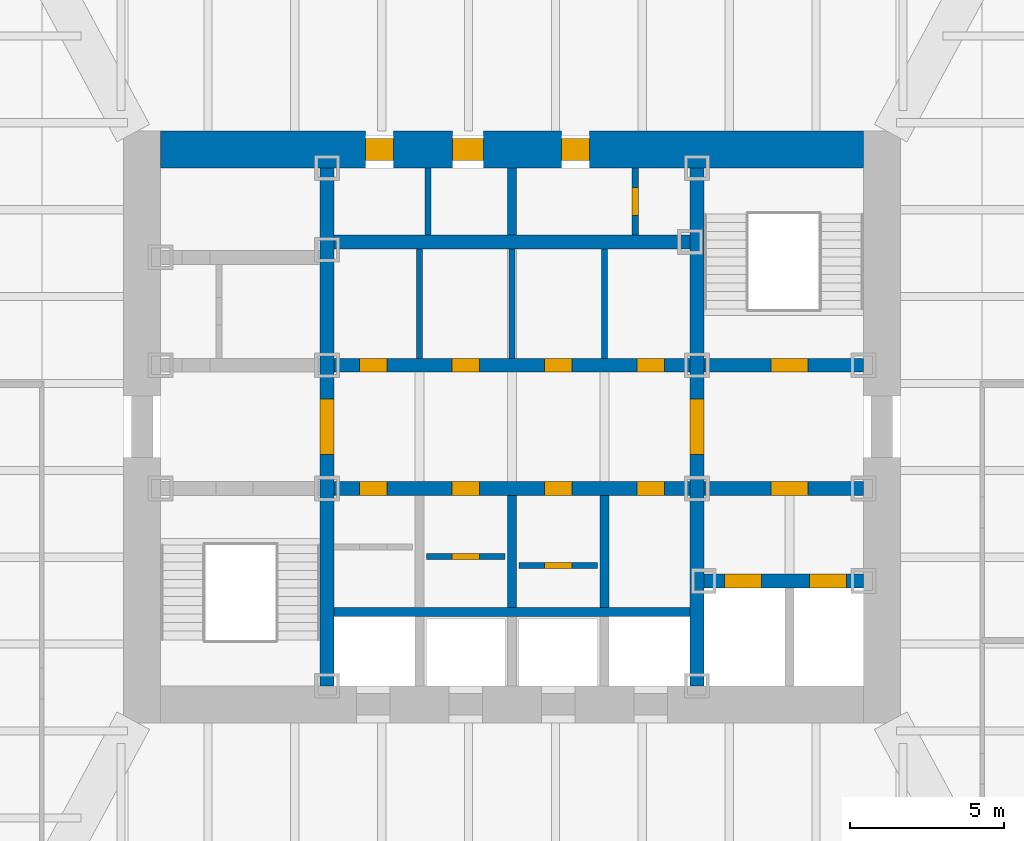
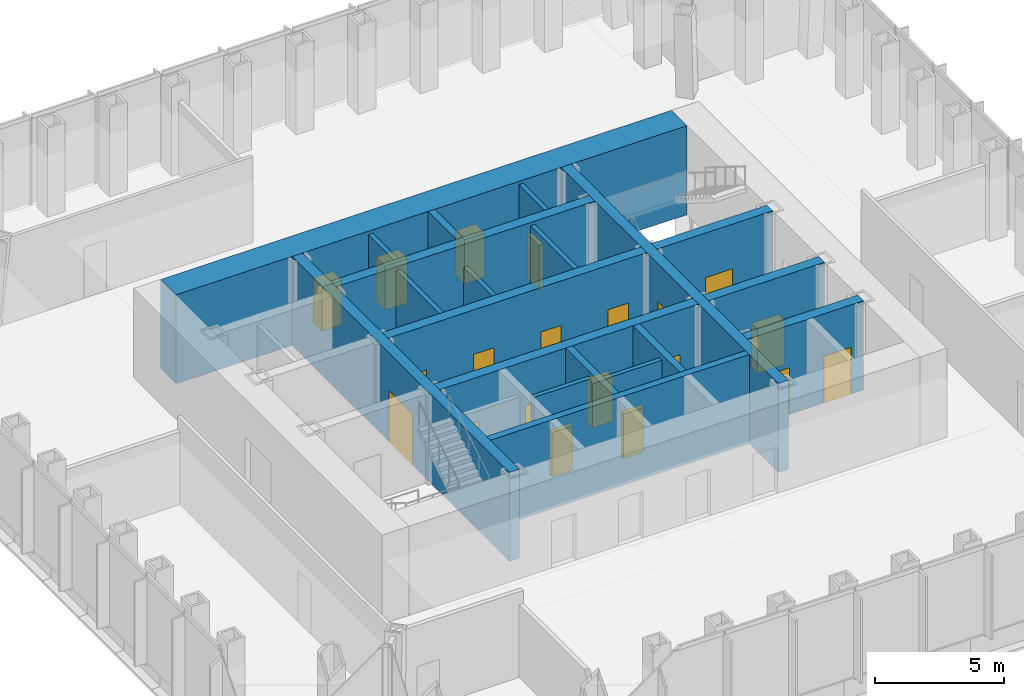
# One storey, part 9 of 14: 20 doors, 20 walls, 20 openings.
"""IFC4 building model written with IfcOpenShell, lengths in metres."""

from ifc_helpers import new_model, si_unit, direction, frame, frame_2d, origin, place, context, subcontext, project, spatial, rectangle, extrude, material, layer, layer_set, type_object, element, fill, save


model = new_model("IFC4")

# Units and contexts
model_context = context("Model", 3, precision=1e-05, world=origin(), true_north=direction((0.0, 1.0)))
body_context = subcontext(model_context, "Body", "Model", "MODEL_VIEW")
ifc_project = project(units=[si_unit("LENGTHUNIT", "METRE"), si_unit("AREAUNIT", "SQUARE_METRE"), si_unit("VOLUMEUNIT", "CUBIC_METRE"), si_unit("PLANEANGLEUNIT", "RADIAN"), si_unit("MASSUNIT", "GRAM", prefix="KILO")], contexts=[model_context])

# Site, building, storey
site_placement = place(None, origin())
site = spatial("IfcSite", under=ifc_project, at=site_placement, CompositionType="ELEMENT")
building_placement = place(site_placement, origin())
building = spatial("IfcBuilding", under=site, at=building_placement, Name="Daluyong Arena Tower", CompositionType="ELEMENT")
storey_placement = place(building_placement, frame((0.0, 0.0, 250.300048828125)))
storey = spatial("IfcBuildingStorey", under=building, at=storey_placement, Name="L56", CompositionType="ELEMENT", Elevation=250.300048828125)

# Wall, opening, door
ifc_material_1 = material(Name="Concrete fc' 45 MPa", Category="concrete")
ifc_layer_1 = layer(ifc_material_1, 0.449951171875)
ifc_layer_set_1 = layer_set([ifc_layer_1], Name="Concrete fc' 45 MPa")
wall_type_1 = type_object("IfcWallType", Name="Core inner wall 450", PredefinedType="SHEAR", material=ifc_layer_set_1)
wall_1_placement = place(storey_placement, frame((50.0, 71.60009765625, 0.0), z_axis=(0.0, 0.0, 1.0), x_axis=(0.0, 1.0, 0.0)))
wall_1 = element("IfcWall", 1, at=wall_1_placement, inside=storey, type_object=wall_type_1, Name="core inner wall at L56", PredefinedType="SHEAR", context=body_context, shape_type="SweptSolid", body=[
    extrude(rectangle(XDim=16.7998046875, YDim=0.449951171875, at=frame_2d((8.39990234375, 0.0))), origin(), (0.0, 0.0, 1.0), 4.199951171875),
])
opening_1_placement = place(wall_1_placement, frame((7.5, 0.0, 0.0)))
opening_1 = element("IfcOpeningElement", 2, at=opening_1_placement, cuts=wall_1, Name="Opening 56023", PredefinedType="OPENING", context=body_context, shape_type="SweptSolid", body=[
    extrude(rectangle(XDim=1.800048828125, YDim=2.39990234375, at=frame_2d((0.89990234375, 1.199951171875))), frame((0.0, 0.23486328125, 0.0), z_axis=(0.0, -1.0, 0.0), x_axis=(1.0, 0.0, 0.0)), (0.0, 0.0, 1.0), 0.469970703125),
])
ifc_material_2 = material(Name="Steel door, fire rated", Category="steel")
door_type_1 = type_object("IfcDoorType", Name="Lift lobby opening door 1800", OperationType="DOUBLE_DOOR_SINGLE_SWING", PredefinedType="DOOR", material=ifc_material_2)
door_1_placement = place(opening_1_placement, origin())
door_1 = element("IfcDoor", 3, at=door_1_placement, inside=storey, type_object=door_type_1, Name="lift lobby door west 56023", OperationType="DOUBLE_DOOR_SINGLE_SWING", OverallHeight=2.39990234375, OverallWidth=1.800048828125, PredefinedType="DOOR", context=body_context, shape_type="SweptSolid", body=[
    extrude(rectangle(XDim=1.800048828125, YDim=2.39990234375, at=frame_2d((0.89990234375, 1.199951171875))), frame((0.0, 0.224609375, 0.0), z_axis=(0.0, -1.0, 0.0), x_axis=(1.0, 0.0, 0.0)), (0.0, 0.0, 1.0), 0.449462890625),
])
fill(opening_1, door_1)

wall_2_placement = place(storey_placement, frame((62.0, 71.60009765625, 0.0), z_axis=(0.0, 0.0, 1.0), x_axis=(0.0, 1.0, 0.0)))
wall_2 = element("IfcWall", 4, at=wall_2_placement, inside=storey, type_object=wall_type_1, Name="core inner wall at L56", PredefinedType="SHEAR", context=body_context, shape_type="SweptSolid", body=[
    extrude(rectangle(XDim=16.7998046875, YDim=0.449951171875, at=frame_2d((8.39990234375, 0.0))), origin(), (0.0, 0.0, 1.0), 4.199951171875),
])
opening_2_placement = place(wall_2_placement, frame((7.5, 0.0, 0.0)))
opening_2 = element("IfcOpeningElement", 5, at=opening_2_placement, cuts=wall_2, Name="Opening 56024", PredefinedType="OPENING", context=body_context, shape_type="SweptSolid", body=[
    extrude(rectangle(XDim=1.800048828125, YDim=2.39990234375, at=frame_2d((0.89990234375, 1.199951171875))), frame((0.0, 0.23486328125, 0.0), z_axis=(0.0, -1.0, 0.0), x_axis=(1.0, 0.0, 0.0)), (0.0, 0.0, 1.0), 0.469970703125),
])
door_2_placement = place(opening_2_placement, origin())
door_2 = element("IfcDoor", 6, at=door_2_placement, inside=storey, type_object=door_type_1, Name="lift lobby door east 56024", OperationType="DOUBLE_DOOR_SINGLE_SWING", OverallHeight=2.39990234375, OverallWidth=1.800048828125, PredefinedType="DOOR", context=body_context, shape_type="SweptSolid", body=[
    extrude(rectangle(XDim=1.800048828125, YDim=2.39990234375, at=frame_2d((0.89990234375, 1.199951171875))), frame((0.0, 0.224609375, 0.0), z_axis=(0.0, -1.0, 0.0), x_axis=(1.0, 0.0, 0.0)), (0.0, 0.0, 1.0), 0.449462890625),
])
fill(opening_2, door_2)

# Wall, openings, doors
wall_3_placement = place(storey_placement, frame((62.22509765625, 75.0, 0.0), z_axis=(0.0, 0.0, 1.0), x_axis=(1.0, 0.0, 0.0)))
wall_3 = element("IfcWall", 7, at=wall_3_placement, inside=storey, type_object=wall_type_1, Name="core inner wall at L56", PredefinedType="SHEAR", context=body_context, shape_type="SweptSolid", body=[
    extrude(rectangle(XDim=5.1748046875, YDim=0.449951171875, at=frame_2d((2.58740234375, 0.0))), origin(), (0.0, 0.0, 1.0), 4.199951171875),
])
opening_3_placement = place(wall_3_placement, frame((0.675048828125, 0.0, 0.0)))
opening_3 = element("IfcOpeningElement", 8, at=opening_3_placement, cuts=wall_3, Name="Opening 56030", PredefinedType="OPENING", context=body_context, shape_type="SweptSolid", body=[
    extrude(rectangle(XDim=1.199951171875, YDim=2.199951171875, at=frame_2d((0.60009765625, 1.10009765625))), frame((0.0, 0.23486328125, 0.0), z_axis=(0.0, -1.0, 0.0), x_axis=(1.0, 0.0, 0.0)), (0.0, 0.0, 1.0), 0.469970703125),
])
opening_4_placement = place(wall_3_placement, frame((3.425048828125, 0.0, 0.0)))
opening_4 = element("IfcOpeningElement", 9, at=opening_4_placement, cuts=wall_3, Name="Opening 56031", PredefinedType="OPENING", context=body_context, shape_type="SweptSolid", body=[
    extrude(rectangle(XDim=1.199951171875, YDim=2.199951171875, at=frame_2d((0.60009765625, 1.10009765625))), frame((0.0, 0.23486328125, 0.0), z_axis=(0.0, -1.0, 0.0), x_axis=(1.0, 0.0, 0.0)), (0.0, 0.0, 1.0), 0.469970703125),
])
ifc_material_3 = material(Name="Steel door, fire rated", Category="steel")
door_type_2 = type_object("IfcDoorType", Name="Firefighting lift landing door 1200", OperationType="SLIDING_TO_LEFT", PredefinedType="DOOR", material=ifc_material_3)
door_3_placement = place(opening_3_placement, origin())
door_3 = element("IfcDoor", 10, at=door_3_placement, inside=storey, type_object=door_type_2, Name="firefighting lift landing door F1 56030", OperationType="SLIDING_TO_LEFT", OverallHeight=2.199951171875, OverallWidth=1.199951171875, PredefinedType="DOOR", context=body_context, shape_type="SweptSolid", body=[
    extrude(rectangle(XDim=1.199951171875, YDim=2.199951171875, at=frame_2d((0.60009765625, 1.10009765625))), frame((0.0, 0.224609375, 0.0), z_axis=(0.0, -1.0, 0.0), x_axis=(1.0, 0.0, 0.0)), (0.0, 0.0, 1.0), 0.449462890625),
])
fill(opening_3, door_3)
door_4_placement = place(opening_4_placement, origin())
door_4 = element("IfcDoor", 11, at=door_4_placement, inside=storey, type_object=door_type_2, Name="firefighting lift landing door F2 56031", OperationType="SLIDING_TO_LEFT", OverallHeight=2.199951171875, OverallWidth=1.199951171875, PredefinedType="DOOR", context=body_context, shape_type="SweptSolid", body=[
    extrude(rectangle(XDim=1.199951171875, YDim=2.199951171875, at=frame_2d((0.60009765625, 1.10009765625))), frame((0.0, 0.224609375, 0.0), z_axis=(0.0, -1.0, 0.0), x_axis=(1.0, 0.0, 0.0)), (0.0, 0.0, 1.0), 0.449462890625),
])
fill(opening_4, door_4)

# Wall, opening, door
wall_4_placement = place(storey_placement, frame((62.22509765625, 78.0, 0.0), z_axis=(0.0, 0.0, 1.0), x_axis=(1.0, 0.0, 0.0)))
wall_4 = element("IfcWall", 12, at=wall_4_placement, inside=storey, type_object=wall_type_1, Name="core inner wall at L56", PredefinedType="SHEAR", context=body_context, shape_type="SweptSolid", body=[
    extrude(rectangle(XDim=5.1748046875, YDim=0.449951171875, at=frame_2d((2.58740234375, 0.0))), origin(), (0.0, 0.0, 1.0), 4.199951171875),
])
opening_5_placement = place(wall_4_placement, frame((2.175048828125, 0.0, 0.0)))
opening_5 = element("IfcOpeningElement", 13, at=opening_5_placement, cuts=wall_4, Name="Opening 56025", PredefinedType="OPENING", context=body_context, shape_type="SweptSolid", body=[
    extrude(rectangle(XDim=1.199951171875, YDim=2.10009765625, at=frame_2d((0.60009765625, 1.050048828125))), frame((0.0, 0.23486328125, 0.0), z_axis=(0.0, -1.0, 0.0), x_axis=(1.0, 0.0, 0.0)), (0.0, 0.0, 1.0), 0.469970703125),
])
ifc_material_4 = material(Name="Steel door, fire rated", Category="steel")
door_type_3 = type_object("IfcDoorType", Name="Firefighting lobby door 1200", OperationType="SINGLE_SWING_RIGHT", PredefinedType="DOOR", material=ifc_material_4)
door_5_placement = place(opening_5_placement, origin())
door_5 = element("IfcDoor", 14, at=door_5_placement, inside=storey, type_object=door_type_3, Name="firefighting lobby door 56025", OperationType="SINGLE_SWING_RIGHT", OverallHeight=2.10009765625, OverallWidth=1.199951171875, PredefinedType="DOOR", context=body_context, shape_type="SweptSolid", body=[
    extrude(rectangle(XDim=1.199951171875, YDim=2.10009765625, at=frame_2d((0.60009765625, 1.050048828125))), frame((0.0, 0.224609375, 0.0), z_axis=(0.0, -1.0, 0.0), x_axis=(1.0, 0.0, 0.0)), (0.0, 0.0, 1.0), 0.449462890625),
])
fill(opening_5, door_5)

wall_5_placement = place(storey_placement, frame((62.22509765625, 82.0, 0.0), z_axis=(0.0, 0.0, 1.0), x_axis=(1.0, 0.0, 0.0)))
wall_5 = element("IfcWall", 15, at=wall_5_placement, inside=storey, type_object=wall_type_1, Name="core inner wall at L56", PredefinedType="SHEAR", context=body_context, shape_type="SweptSolid", body=[
    extrude(rectangle(XDim=5.1748046875, YDim=0.449951171875, at=frame_2d((2.58740234375, 0.0))), origin(), (0.0, 0.0, 1.0), 4.199951171875),
])
opening_6_placement = place(wall_5_placement, frame((2.175048828125, 0.0, 0.0)))
opening_6 = element("IfcOpeningElement", 16, at=opening_6_placement, cuts=wall_5, Name="Opening 56020", PredefinedType="OPENING", context=body_context, shape_type="SweptSolid", body=[
    extrude(rectangle(XDim=1.199951171875, YDim=2.10009765625, at=frame_2d((0.60009765625, 1.050048828125))), frame((0.0, 0.23486328125, 0.0), z_axis=(0.0, -1.0, 0.0), x_axis=(1.0, 0.0, 0.0)), (0.0, 0.0, 1.0), 0.469970703125),
])
ifc_material_5 = material(Name="Steel door, fire rated", Category="steel")
door_type_4 = type_object("IfcDoorType", Name="Stair door 1200", OperationType="SINGLE_SWING_LEFT", PredefinedType="DOOR", material=ifc_material_5)
door_6_placement = place(opening_6_placement, origin())
door_6 = element("IfcDoor", 17, at=door_6_placement, inside=storey, type_object=door_type_4, Name="stair B door 56020", OperationType="SINGLE_SWING_LEFT", OverallHeight=2.10009765625, OverallWidth=1.199951171875, PredefinedType="DOOR", context=body_context, shape_type="SweptSolid", body=[
    extrude(rectangle(XDim=1.199951171875, YDim=2.10009765625, at=frame_2d((0.60009765625, 1.050048828125))), frame((0.0, 0.224609375, 0.0), z_axis=(0.0, -1.0, 0.0), x_axis=(1.0, 0.0, 0.0)), (0.0, 0.0, 1.0), 0.449462890625),
])
fill(opening_6, door_6)

# Wall, openings, doors
wall_6_placement = place(storey_placement, frame((50.22509765625, 78.0, 0.0), z_axis=(0.0, 0.0, 1.0), x_axis=(1.0, 0.0, 0.0)))
wall_6 = element("IfcWall", 18, at=wall_6_placement, inside=storey, type_object=wall_type_1, Name="core inner wall at L56", PredefinedType="SHEAR", context=body_context, shape_type="SweptSolid", body=[
    extrude(rectangle(XDim=11.5498046875, YDim=0.449951171875, at=frame_2d((5.77490234375, 0.0))), origin(), (0.0, 0.0, 1.0), 4.199951171875),
])
opening_7_placement = place(wall_6_placement, frame((0.824951171875, 0.0, 0.0)))
opening_7 = element("IfcOpeningElement", 19, at=opening_7_placement, cuts=wall_6, Name="Opening 56008", PredefinedType="OPENING", context=body_context, shape_type="SweptSolid", body=[
    extrude(rectangle(XDim=0.89990234375, YDim=2.10009765625, at=frame_2d((0.449951171875, 1.050048828125))), frame((0.0, 0.23486328125, 0.0), z_axis=(0.0, -1.0, 0.0), x_axis=(1.0, 0.0, 0.0)), (0.0, 0.0, 1.0), 0.469970703125),
])
opening_8_placement = place(wall_6_placement, frame((3.824951171875, 0.0, 0.0)))
opening_8 = element("IfcOpeningElement", 20, at=opening_8_placement, cuts=wall_6, Name="Opening 56010", PredefinedType="OPENING", context=body_context, shape_type="SweptSolid", body=[
    extrude(rectangle(XDim=0.89990234375, YDim=2.10009765625, at=frame_2d((0.449951171875, 1.050048828125))), frame((0.0, 0.23486328125, 0.0), z_axis=(0.0, -1.0, 0.0), x_axis=(1.0, 0.0, 0.0)), (0.0, 0.0, 1.0), 0.469970703125),
])
opening_9_placement = place(wall_6_placement, frame((6.824951171875, 0.0, 0.0)))
opening_9 = element("IfcOpeningElement", 21, at=opening_9_placement, cuts=wall_6, Name="Opening 56012", PredefinedType="OPENING", context=body_context, shape_type="SweptSolid", body=[
    extrude(rectangle(XDim=0.89990234375, YDim=2.10009765625, at=frame_2d((0.449951171875, 1.050048828125))), frame((0.0, 0.23486328125, 0.0), z_axis=(0.0, -1.0, 0.0), x_axis=(1.0, 0.0, 0.0)), (0.0, 0.0, 1.0), 0.469970703125),
])
opening_10_placement = place(wall_6_placement, frame((9.824951171875, 0.0, 0.0)))
opening_10 = element("IfcOpeningElement", 22, at=opening_10_placement, cuts=wall_6, Name="Opening 56014", PredefinedType="OPENING", context=body_context, shape_type="SweptSolid", body=[
    extrude(rectangle(XDim=0.89990234375, YDim=2.10009765625, at=frame_2d((0.449951171875, 1.050048828125))), frame((0.0, 0.23486328125, 0.0), z_axis=(0.0, -1.0, 0.0), x_axis=(1.0, 0.0, 0.0)), (0.0, 0.0, 1.0), 0.469970703125),
])
ifc_material_6 = material(Name="Steel door, fire rated", Category="steel")
door_type_5 = type_object("IfcDoorType", Name="Core room door 900", OperationType="SINGLE_SWING_LEFT", PredefinedType="DOOR", material=ifc_material_6)
door_7_placement = place(opening_10_placement, origin())
door_7 = element("IfcDoor", 23, at=door_7_placement, inside=storey, type_object=door_type_5, Name="mail room door 56014", OperationType="SINGLE_SWING_LEFT", OverallHeight=2.10009765625, OverallWidth=0.89990234375, PredefinedType="DOOR", context=body_context, shape_type="SweptSolid", body=[
    extrude(rectangle(XDim=0.89990234375, YDim=2.10009765625, at=frame_2d((0.449951171875, 1.050048828125))), frame((0.0, 0.224609375, 0.0), z_axis=(0.0, -1.0, 0.0), x_axis=(1.0, 0.0, 0.0)), (0.0, 0.0, 1.0), 0.449462890625),
])
fill(opening_10, door_7)
ifc_material_7 = material(Name="Steel door, fire rated", Category="steel")
door_type_6 = type_object("IfcDoorType", Name="Core store door 900", OperationType="SINGLE_SWING_LEFT", PredefinedType="DOOR", material=ifc_material_7)
door_8_placement = place(opening_7_placement, origin())
door_8 = element("IfcDoor", 24, at=door_8_placement, inside=storey, type_object=door_type_6, Name="security store door 56008", OperationType="SINGLE_SWING_LEFT", OverallHeight=2.10009765625, OverallWidth=0.89990234375, PredefinedType="DOOR", context=body_context, shape_type="SweptSolid", body=[
    extrude(rectangle(XDim=0.89990234375, YDim=2.10009765625, at=frame_2d((0.449951171875, 1.050048828125))), frame((0.0, 0.224609375, 0.0), z_axis=(0.0, -1.0, 0.0), x_axis=(1.0, 0.0, 0.0)), (0.0, 0.0, 1.0), 0.449462890625),
])
fill(opening_7, door_8)
door_9_placement = place(opening_8_placement, origin())
door_9 = element("IfcDoor", 25, at=door_9_placement, inside=storey, type_object=door_type_6, Name="furniture store door 56010", OperationType="SINGLE_SWING_LEFT", OverallHeight=2.10009765625, OverallWidth=0.89990234375, PredefinedType="DOOR", context=body_context, shape_type="SweptSolid", body=[
    extrude(rectangle(XDim=0.89990234375, YDim=2.10009765625, at=frame_2d((0.449951171875, 1.050048828125))), frame((0.0, 0.224609375, 0.0), z_axis=(0.0, -1.0, 0.0), x_axis=(1.0, 0.0, 0.0)), (0.0, 0.0, 1.0), 0.449462890625),
])
fill(opening_8, door_9)
door_10_placement = place(opening_9_placement, origin())
door_10 = element("IfcDoor", 26, at=door_10_placement, inside=storey, type_object=door_type_6, Name="tenant store door 56012", OperationType="SINGLE_SWING_LEFT", OverallHeight=2.10009765625, OverallWidth=0.89990234375, PredefinedType="DOOR", context=body_context, shape_type="SweptSolid", body=[
    extrude(rectangle(XDim=0.89990234375, YDim=2.10009765625, at=frame_2d((0.449951171875, 1.050048828125))), frame((0.0, 0.224609375, 0.0), z_axis=(0.0, -1.0, 0.0), x_axis=(1.0, 0.0, 0.0)), (0.0, 0.0, 1.0), 0.449462890625),
])
fill(opening_9, door_10)

wall_7_placement = place(storey_placement, frame((50.22509765625, 82.0, 0.0), z_axis=(0.0, 0.0, 1.0), x_axis=(1.0, 0.0, 0.0)))
wall_7 = element("IfcWall", 27, at=wall_7_placement, inside=storey, type_object=wall_type_1, Name="core inner wall at L56", PredefinedType="SHEAR", context=body_context, shape_type="SweptSolid", body=[
    extrude(rectangle(XDim=11.5498046875, YDim=0.449951171875, at=frame_2d((5.77490234375, 0.0))), origin(), (0.0, 0.0, 1.0), 4.199951171875),
])
opening_11_placement = place(wall_7_placement, frame((0.824951171875, 0.0, 0.0)))
opening_11 = element("IfcOpeningElement", 28, at=opening_11_placement, cuts=wall_7, Name="Opening 56015", PredefinedType="OPENING", context=body_context, shape_type="SweptSolid", body=[
    extrude(rectangle(XDim=0.89990234375, YDim=2.10009765625, at=frame_2d((0.449951171875, 1.050048828125))), frame((0.0, 0.23486328125, 0.0), z_axis=(0.0, -1.0, 0.0), x_axis=(1.0, 0.0, 0.0)), (0.0, 0.0, 1.0), 0.469970703125),
])
opening_12_placement = place(wall_7_placement, frame((3.824951171875, 0.0, 0.0)))
opening_12 = element("IfcOpeningElement", 29, at=opening_12_placement, cuts=wall_7, Name="Opening 56016", PredefinedType="OPENING", context=body_context, shape_type="SweptSolid", body=[
    extrude(rectangle(XDim=0.89990234375, YDim=2.10009765625, at=frame_2d((0.449951171875, 1.050048828125))), frame((0.0, 0.23486328125, 0.0), z_axis=(0.0, -1.0, 0.0), x_axis=(1.0, 0.0, 0.0)), (0.0, 0.0, 1.0), 0.469970703125),
])
opening_13_placement = place(wall_7_placement, frame((6.824951171875, 0.0, 0.0)))
opening_13 = element("IfcOpeningElement", 30, at=opening_13_placement, cuts=wall_7, Name="Opening 56017", PredefinedType="OPENING", context=body_context, shape_type="SweptSolid", body=[
    extrude(rectangle(XDim=0.89990234375, YDim=2.10009765625, at=frame_2d((0.449951171875, 1.050048828125))), frame((0.0, 0.23486328125, 0.0), z_axis=(0.0, -1.0, 0.0), x_axis=(1.0, 0.0, 0.0)), (0.0, 0.0, 1.0), 0.469970703125),
])
opening_14_placement = place(wall_7_placement, frame((9.824951171875, 0.0, 0.0)))
opening_14 = element("IfcOpeningElement", 31, at=opening_14_placement, cuts=wall_7, Name="Opening 56018", PredefinedType="OPENING", context=body_context, shape_type="SweptSolid", body=[
    extrude(rectangle(XDim=0.89990234375, YDim=2.10009765625, at=frame_2d((0.449951171875, 1.050048828125))), frame((0.0, 0.23486328125, 0.0), z_axis=(0.0, -1.0, 0.0), x_axis=(1.0, 0.0, 0.0)), (0.0, 0.0, 1.0), 0.469970703125),
])
door_11_placement = place(opening_12_placement, origin())
door_11 = element("IfcDoor", 32, at=door_11_placement, inside=storey, type_object=door_type_5, Name="vending room door 56016", OperationType="SINGLE_SWING_LEFT", OverallHeight=2.10009765625, OverallWidth=0.89990234375, PredefinedType="DOOR", context=body_context, shape_type="SweptSolid", body=[
    extrude(rectangle(XDim=0.89990234375, YDim=2.10009765625, at=frame_2d((0.449951171875, 1.050048828125))), frame((0.0, 0.224609375, 0.0), z_axis=(0.0, -1.0, 0.0), x_axis=(1.0, 0.0, 0.0)), (0.0, 0.0, 1.0), 0.449462890625),
])
fill(opening_12, door_11)
door_12_placement = place(opening_13_placement, origin())
door_12 = element("IfcDoor", 33, at=door_12_placement, inside=storey, type_object=door_type_5, Name="parcel room door 56017", OperationType="SINGLE_SWING_LEFT", OverallHeight=2.10009765625, OverallWidth=0.89990234375, PredefinedType="DOOR", context=body_context, shape_type="SweptSolid", body=[
    extrude(rectangle(XDim=0.89990234375, YDim=2.10009765625, at=frame_2d((0.449951171875, 1.050048828125))), frame((0.0, 0.224609375, 0.0), z_axis=(0.0, -1.0, 0.0), x_axis=(1.0, 0.0, 0.0)), (0.0, 0.0, 1.0), 0.449462890625),
])
fill(opening_13, door_12)
door_13_placement = place(opening_14_placement, origin())
door_13 = element("IfcDoor", 34, at=door_13_placement, inside=storey, type_object=door_type_5, Name="print room door 56018", OperationType="SINGLE_SWING_LEFT", OverallHeight=2.10009765625, OverallWidth=0.89990234375, PredefinedType="DOOR", context=body_context, shape_type="SweptSolid", body=[
    extrude(rectangle(XDim=0.89990234375, YDim=2.10009765625, at=frame_2d((0.449951171875, 1.050048828125))), frame((0.0, 0.224609375, 0.0), z_axis=(0.0, -1.0, 0.0), x_axis=(1.0, 0.0, 0.0)), (0.0, 0.0, 1.0), 0.449462890625),
])
fill(opening_14, door_13)
ifc_material_8 = material(Name="Steel door, fire rated", Category="steel")
door_type_7 = type_object("IfcDoorType", Name="Plant room door 900", OperationType="SINGLE_SWING_LEFT", PredefinedType="DOOR", material=ifc_material_8)
door_14_placement = place(opening_11_placement, origin())
door_14 = element("IfcDoor", 35, at=door_14_placement, inside=storey, type_object=door_type_7, Name="comms room door 56015", OperationType="SINGLE_SWING_LEFT", OverallHeight=2.10009765625, OverallWidth=0.89990234375, PredefinedType="DOOR", context=body_context, shape_type="SweptSolid", body=[
    extrude(rectangle(XDim=0.89990234375, YDim=2.10009765625, at=frame_2d((0.449951171875, 1.050048828125))), frame((0.0, 0.224609375, 0.0), z_axis=(0.0, -1.0, 0.0), x_axis=(1.0, 0.0, 0.0)), (0.0, 0.0, 1.0), 0.449462890625),
])
fill(opening_11, door_14)

# Wall
wall_8_placement = place(storey_placement, frame((50.22509765625, 86.0, 0.0), z_axis=(0.0, 0.0, 1.0), x_axis=(1.0, 0.0, 0.0)))
element("IfcWall", 36, at=wall_8_placement, inside=storey, type_object=wall_type_1, Name="core inner wall at L56", PredefinedType="SHEAR", context=body_context, shape_type="SweptSolid", body=[
    extrude(rectangle(XDim=11.5498046875, YDim=0.449951171875, at=frame_2d((5.77490234375, 0.0))), origin(), (0.0, 0.0, 1.0), 4.199951171875),
])

# Wall, openings, doors
ifc_material_9 = material(Name="Concrete fc' 60 MPa", Category="concrete")
ifc_layer_2 = layer(ifc_material_9, 1.199951171875)
ifc_layer_set_2 = layer_set([ifc_layer_2], Name="Concrete fc' 60 MPa")
wall_type_2 = type_object("IfcWallType", Name="Core wall 1200", PredefinedType="SHEAR", material=ifc_layer_set_2)
wall_9_placement = place(storey_placement, frame((44.60009765625, 89.0, 0.0), z_axis=(0.0, 0.0, 1.0), x_axis=(1.0, 0.0, 0.0)))
wall_9 = element("IfcWall", 37, at=wall_9_placement, inside=storey, type_object=wall_type_2, Name="core wall at L56", PredefinedType="SHEAR", context=body_context, shape_type="SweptSolid", body=[
    extrude(rectangle(XDim=22.7998046875, YDim=1.199951171875, at=frame_2d((11.39990234375, 0.0))), origin(), (0.0, 0.0, 1.0), 4.199951171875),
])
opening_15_placement = place(wall_9_placement, frame((9.47509765625, 0.0, 0.0)))
opening_15 = element("IfcOpeningElement", 38, at=opening_15_placement, cuts=wall_9, Name="Opening 56004", PredefinedType="OPENING", context=body_context, shape_type="SweptSolid", body=[
    extrude(rectangle(XDim=1.0, YDim=2.10009765625, at=frame_2d((0.5, 1.050048828125))), frame((0.0, 0.60986328125, 0.0), z_axis=(0.0, -1.0, 0.0), x_axis=(1.0, 0.0, 0.0)), (0.0, 0.0, 1.0), 1.219970703125),
])
opening_16_placement = place(wall_9_placement, frame((6.64990234375, 0.0, 0.0)))
opening_16 = element("IfcOpeningElement", 39, at=opening_16_placement, cuts=wall_9, Name="Opening 56005", PredefinedType="OPENING", context=body_context, shape_type="SweptSolid", body=[
    extrude(rectangle(XDim=0.89990234375, YDim=2.10009765625, at=frame_2d((0.449951171875, 1.050048828125))), frame((0.0, 0.60986328125, 0.0), z_axis=(0.0, -1.0, 0.0), x_axis=(1.0, 0.0, 0.0)), (0.0, 0.0, 1.0), 1.219970703125),
])
opening_17_placement = place(wall_9_placement, frame((13.012451171875, 0.0, 0.0)))
opening_17 = element("IfcOpeningElement", 40, at=opening_17_placement, cuts=wall_9, Name="Opening 56006", PredefinedType="OPENING", context=body_context, shape_type="SweptSolid", body=[
    extrude(rectangle(XDim=0.89990234375, YDim=2.10009765625, at=frame_2d((0.449951171875, 1.050048828125))), frame((0.0, 0.60986328125, 0.0), z_axis=(0.0, -1.0, 0.0), x_axis=(1.0, 0.0, 0.0)), (0.0, 0.0, 1.0), 1.219970703125),
])
ifc_material_10 = material(Name="Timber door", Category="wood")
door_type_8 = type_object("IfcDoorType", Name="Accessible toilet door 1000", OperationType="SINGLE_SWING_LEFT", PredefinedType="DOOR", material=ifc_material_10)
door_15_placement = place(opening_15_placement, origin())
door_15 = element("IfcDoor", 41, at=door_15_placement, inside=storey, type_object=door_type_8, Name="accessible toilet door 56004", OperationType="SINGLE_SWING_LEFT", OverallHeight=2.10009765625, OverallWidth=1.0, PredefinedType="DOOR", context=body_context, shape_type="SweptSolid", body=[
    extrude(rectangle(XDim=1.0, YDim=2.10009765625, at=frame_2d((0.5, 1.050048828125))), frame((0.0, 0.35009765625, 0.0), z_axis=(0.0, -1.0, 0.0), x_axis=(1.0, 0.0, 0.0)), (0.0, 0.0, 1.0), 0.699951171875),
])
fill(opening_15, door_15)
door_16_placement = place(opening_16_placement, origin())
door_16 = element("IfcDoor", 42, at=door_16_placement, inside=storey, type_object=door_type_5, Name="tea point door 56005", OperationType="SINGLE_SWING_LEFT", OverallHeight=2.10009765625, OverallWidth=0.89990234375, PredefinedType="DOOR", context=body_context, shape_type="SweptSolid", body=[
    extrude(rectangle(XDim=0.89990234375, YDim=2.10009765625, at=frame_2d((0.449951171875, 1.050048828125))), frame((0.0, 0.35009765625, 0.0), z_axis=(0.0, -1.0, 0.0), x_axis=(1.0, 0.0, 0.0)), (0.0, 0.0, 1.0), 0.699951171875),
])
fill(opening_16, door_16)
door_17_placement = place(opening_17_placement, origin())
door_17 = element("IfcDoor", 43, at=door_17_placement, inside=storey, type_object=door_type_6, Name="cleaner's store door 56006", OperationType="SINGLE_SWING_LEFT", OverallHeight=2.10009765625, OverallWidth=0.89990234375, PredefinedType="DOOR", context=body_context, shape_type="SweptSolid", body=[
    extrude(rectangle(XDim=0.89990234375, YDim=2.10009765625, at=frame_2d((0.449951171875, 1.050048828125))), frame((0.0, 0.35009765625, 0.0), z_axis=(0.0, -1.0, 0.0), x_axis=(1.0, 0.0, 0.0)), (0.0, 0.0, 1.0), 0.699951171875),
])
fill(opening_17, door_17)

# Wall
ifc_material_11 = material(Name="Concrete block partition, fire rated", Category="concrete")
ifc_layer_3 = layer(ifc_material_11, 0.199951171875)
ifc_layer_set_3 = layer_set([ifc_layer_3], Name="Concrete block partition, fire rated")
wall_type_3 = type_object("IfcWallType", Name="Fire-rated partition 200", PredefinedType="PARTITIONING", material=ifc_layer_set_3)
wall_10_placement = place(storey_placement, frame((53.27490234375, 86.22509765625, 0.0), z_axis=(0.0, 0.0, 1.0), x_axis=(0.0, 1.0, 0.0)))
element("IfcWall", 44, at=wall_10_placement, inside=storey, type_object=wall_type_3, Name="core room partition at L56", PredefinedType="PARTITIONING", context=body_context, shape_type="SweptSolid", body=[
    extrude(rectangle(XDim=2.1748046875, YDim=0.199951171875, at=frame_2d((1.08740234375, 0.0))), origin(), (0.0, 0.0, 1.0), 4.0400390625),
])

# Wall, opening, door
wall_11_placement = place(storey_placement, frame((60.0, 86.22509765625, 0.0), z_axis=(0.0, 0.0, 1.0), x_axis=(0.0, 1.0, 0.0)))
wall_11 = element("IfcWall", 45, at=wall_11_placement, inside=storey, type_object=wall_type_3, Name="electrical riser enclosure at L56", PredefinedType="PARTITIONING", context=body_context, shape_type="SweptSolid", body=[
    extrude(rectangle(XDim=2.1748046875, YDim=0.199951171875, at=frame_2d((1.08740234375, 0.0))), origin(), (0.0, 0.0, 1.0), 4.0400390625),
])
opening_18_placement = place(wall_11_placement, frame((0.637451171875, 0.0, 0.0)))
opening_18 = element("IfcOpeningElement", 46, at=opening_18_placement, cuts=wall_11, Name="Opening 56007", PredefinedType="OPENING", context=body_context, shape_type="SweptSolid", body=[
    extrude(rectangle(XDim=0.89990234375, YDim=2.10009765625, at=frame_2d((0.449951171875, 1.050048828125))), frame((0.0, 0.10986328125, 0.0), z_axis=(0.0, -1.0, 0.0), x_axis=(1.0, 0.0, 0.0)), (0.0, 0.0, 1.0), 0.219970703125),
])
ifc_material_12 = material(Name="Steel door, fire rated", Category="steel")
door_type_9 = type_object("IfcDoorType", Name="Riser door 900", OperationType="SINGLE_SWING_LEFT", PredefinedType="DOOR", material=ifc_material_12)
door_18_placement = place(opening_18_placement, origin())
door_18 = element("IfcDoor", 47, at=door_18_placement, inside=storey, type_object=door_type_9, Name="riser door 56007", OperationType="SINGLE_SWING_LEFT", OverallHeight=2.10009765625, OverallWidth=0.89990234375, PredefinedType="DOOR", context=body_context, shape_type="SweptSolid", body=[
    extrude(rectangle(XDim=0.89990234375, YDim=2.10009765625, at=frame_2d((0.449951171875, 1.050048828125))), frame((0.0, 0.099609375, 0.0), z_axis=(0.0, -1.0, 0.0), x_axis=(1.0, 0.0, 0.0)), (0.0, 0.0, 1.0), 0.199462890625),
])
fill(opening_18, door_18)

wall_12_placement = place(storey_placement, frame((53.22509765625, 75.800048828125, 0.0), z_axis=(0.0, 0.0, 1.0), x_axis=(1.0, 0.0, 0.0)))
wall_12 = element("IfcWall", 48, at=wall_12_placement, inside=storey, type_object=wall_type_3, Name="back store partition at L56", PredefinedType="PARTITIONING", context=body_context, shape_type="SweptSolid", body=[
    extrude(rectangle(XDim=2.5498046875, YDim=0.199951171875, at=frame_2d((1.27490234375, 0.0))), origin(), (0.0, 0.0, 1.0), 4.0400390625),
])
opening_19_placement = place(wall_12_placement, frame((0.824951171875, 0.0, 0.0)))
opening_19 = element("IfcOpeningElement", 49, at=opening_19_placement, cuts=wall_12, Name="Opening 56011", PredefinedType="OPENING", context=body_context, shape_type="SweptSolid", body=[
    extrude(rectangle(XDim=0.89990234375, YDim=2.10009765625, at=frame_2d((0.449951171875, 1.050048828125))), frame((0.0, 0.10986328125, 0.0), z_axis=(0.0, -1.0, 0.0), x_axis=(1.0, 0.0, 0.0)), (0.0, 0.0, 1.0), 0.219970703125),
])
door_19_placement = place(opening_19_placement, origin())
door_19 = element("IfcDoor", 50, at=door_19_placement, inside=storey, type_object=door_type_6, Name="stationery store door 56011", OperationType="SINGLE_SWING_LEFT", OverallHeight=2.10009765625, OverallWidth=0.89990234375, PredefinedType="DOOR", context=body_context, shape_type="SweptSolid", body=[
    extrude(rectangle(XDim=0.89990234375, YDim=2.10009765625, at=frame_2d((0.449951171875, 1.050048828125))), frame((0.0, 0.099609375, 0.0), z_axis=(0.0, -1.0, 0.0), x_axis=(1.0, 0.0, 0.0)), (0.0, 0.0, 1.0), 0.199462890625),
])
fill(opening_19, door_19)

wall_13_placement = place(storey_placement, frame((56.22509765625, 75.5, 0.0), z_axis=(0.0, 0.0, 1.0), x_axis=(1.0, 0.0, 0.0)))
wall_13 = element("IfcWall", 51, at=wall_13_placement, inside=storey, type_object=wall_type_3, Name="back store partition at L56", PredefinedType="PARTITIONING", context=body_context, shape_type="SweptSolid", body=[
    extrude(rectangle(XDim=2.5498046875, YDim=0.199951171875, at=frame_2d((1.27490234375, 0.0))), origin(), (0.0, 0.0, 1.0), 4.0400390625),
])
opening_20_placement = place(wall_13_placement, frame((0.824951171875, 0.0, 0.0)))
opening_20 = element("IfcOpeningElement", 52, at=opening_20_placement, cuts=wall_13, Name="Opening 56013", PredefinedType="OPENING", context=body_context, shape_type="SweptSolid", body=[
    extrude(rectangle(XDim=0.89990234375, YDim=2.10009765625, at=frame_2d((0.449951171875, 1.050048828125))), frame((0.0, 0.10986328125, 0.0), z_axis=(0.0, -1.0, 0.0), x_axis=(1.0, 0.0, 0.0)), (0.0, 0.0, 1.0), 0.219970703125),
])
door_20_placement = place(opening_20_placement, origin())
door_20 = element("IfcDoor", 53, at=door_20_placement, inside=storey, type_object=door_type_6, Name="archive store door 56013", OperationType="SINGLE_SWING_LEFT", OverallHeight=2.10009765625, OverallWidth=0.89990234375, PredefinedType="DOOR", context=body_context, shape_type="SweptSolid", body=[
    extrude(rectangle(XDim=0.89990234375, YDim=2.10009765625, at=frame_2d((0.449951171875, 1.050048828125))), frame((0.0, 0.099609375, 0.0), z_axis=(0.0, -1.0, 0.0), x_axis=(1.0, 0.0, 0.0)), (0.0, 0.0, 1.0), 0.199462890625),
])
fill(opening_20, door_20)

# Walls
wall_14_placement = place(storey_placement, frame((53.0, 82.22509765625, 0.0), z_axis=(0.0, 0.0, 1.0), x_axis=(0.0, 1.0, 0.0)))
element("IfcWall", 54, at=wall_14_placement, inside=storey, type_object=wall_type_3, Name="core room partition at L56", PredefinedType="PARTITIONING", context=body_context, shape_type="SweptSolid", body=[
    extrude(rectangle(XDim=3.5498046875, YDim=0.199951171875, at=frame_2d((1.77490234375, 0.0))), origin(), (0.0, 0.0, 1.0), 4.0400390625),
])
wall_15_placement = place(storey_placement, frame((56.0, 82.22509765625, 0.0), z_axis=(0.0, 0.0, 1.0), x_axis=(0.0, 1.0, 0.0)))
element("IfcWall", 55, at=wall_15_placement, inside=storey, type_object=wall_type_3, Name="core room partition at L56", PredefinedType="PARTITIONING", context=body_context, shape_type="SweptSolid", body=[
    extrude(rectangle(XDim=3.5498046875, YDim=0.199951171875, at=frame_2d((1.77490234375, 0.0))), origin(), (0.0, 0.0, 1.0), 3.139892578125),
])
wall_16_placement = place(storey_placement, frame((59.0, 82.22509765625, 0.0), z_axis=(0.0, 0.0, 1.0), x_axis=(0.0, 1.0, 0.0)))
element("IfcWall", 56, at=wall_16_placement, inside=storey, type_object=wall_type_3, Name="core room partition at L56", PredefinedType="PARTITIONING", context=body_context, shape_type="SweptSolid", body=[
    extrude(rectangle(XDim=3.5498046875, YDim=0.199951171875, at=frame_2d((1.77490234375, 0.0))), origin(), (0.0, 0.0, 1.0), 4.0400390625),
])
ifc_material_13 = material(Name="Concrete fc' 45 MPa", Category="concrete")
ifc_layer_4 = layer(ifc_material_13, 0.300048828125)
ifc_layer_set_4 = layer_set([ifc_layer_4], Name="Concrete fc' 45 MPa")
wall_type_4 = type_object("IfcWallType", Name="Lift shaft wall 300", PredefinedType="SHEAR", material=ifc_layer_set_4)
wall_17_placement = place(storey_placement, frame((50.22509765625, 74.0, 0.0), z_axis=(0.0, 0.0, 1.0), x_axis=(1.0, 0.0, 0.0)))
element("IfcWall", 57, at=wall_17_placement, inside=storey, type_object=wall_type_4, Name="lift shaft wall at L56", PredefinedType="SHEAR", context=body_context, shape_type="SweptSolid", body=[
    extrude(rectangle(XDim=11.5498046875, YDim=0.300048828125, at=frame_2d((5.77490234375, 0.0))), origin(), (0.0, 0.0, 1.0), 4.199951171875),
])
for number, where, z_axis, x_axis, name in (
    (58, (56.0, 74.14990234375, 0.0), (0.0, 0.0, 1.0), (0.0, 1.0, 0.0), "lift shaft wall at L56"),
    (59, (59.0, 74.14990234375, 0.0), (0.0, 0.0, 1.0), (0.0, 1.0, 0.0), "lift shaft wall at L56"),
):
    element("IfcWall", number, at=place(storey_placement, frame(where, z_axis=z_axis, x_axis=x_axis)), inside=storey, type_object=wall_type_4, Name=name, PredefinedType="SHEAR", context=body_context, shape_type="SweptSolid", body=[
        extrude(rectangle(XDim=3.625, YDim=0.300048828125, at=frame_2d((1.8125, 0.0))), origin(), (0.0, 0.0, 1.0), 4.199951171875),
    ])
wall_18_placement = place(storey_placement, frame((56.0, 86.22509765625, 0.0), z_axis=(0.0, 0.0, 1.0), x_axis=(0.0, 1.0, 0.0)))
element("IfcWall", 60, at=wall_18_placement, inside=storey, type_object=wall_type_4, Name="lift shaft wall at L56", PredefinedType="SHEAR", context=body_context, shape_type="SweptSolid", body=[
    extrude(rectangle(XDim=2.1748046875, YDim=0.300048828125, at=frame_2d((1.08740234375, 0.0))), origin(), (0.0, 0.0, 1.0), 4.199951171875),
])

save(model, "model.ifc")
